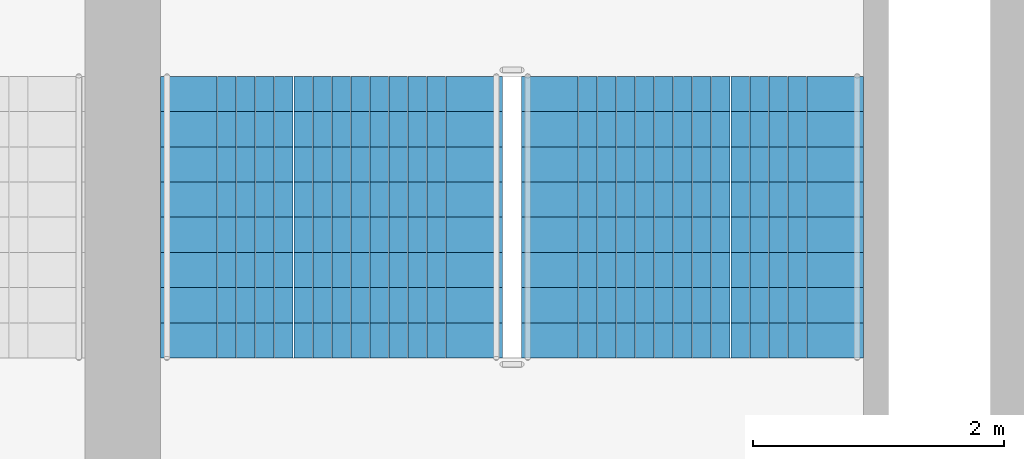
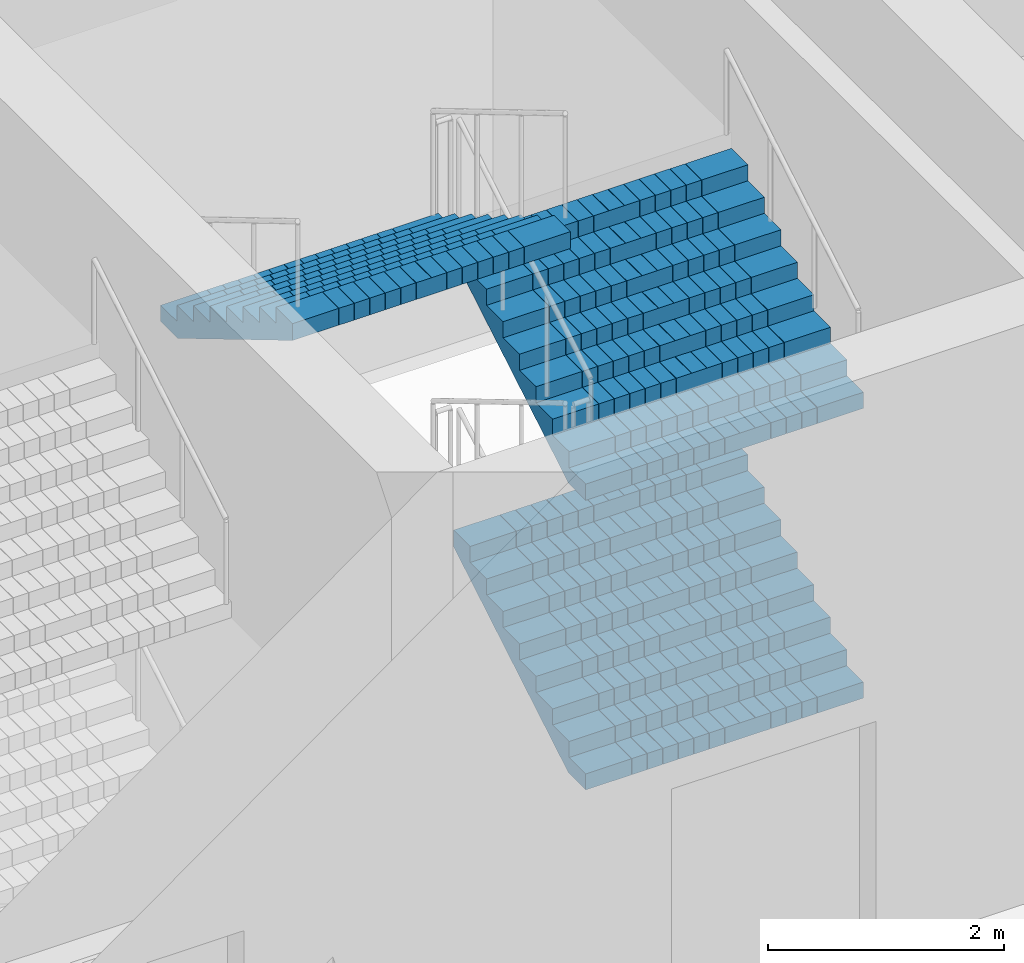
# One storey, part 30 of 43: 3 stair flights, 1 element without a shape of its own.
"""IFC4 building model written with IfcOpenShell, lengths in metres."""

from ifc_helpers import new_model, si_unit, direction, frame, origin, place, context, subcontext, project, spatial, polyline, outline, extrude, material, type_object, element, aggregate, save


model = new_model("IFC4")

# Units and contexts
model_context = context("Model", 3, precision=1e-05, world=origin(), true_north=direction((0.0, 1.0)))
body_context = subcontext(model_context, "Body", "Model", "MODEL_VIEW")
ifc_project = project(units=[si_unit("LENGTHUNIT", "METRE"), si_unit("AREAUNIT", "SQUARE_METRE"), si_unit("VOLUMEUNIT", "CUBIC_METRE"), si_unit("PLANEANGLEUNIT", "RADIAN"), si_unit("MASSUNIT", "GRAM", prefix="KILO")], contexts=[model_context])

# Site, building, storey
site_placement = place(None, origin())
site = spatial("IfcSite", under=ifc_project, at=site_placement, CompositionType="ELEMENT")
building_placement = place(site_placement, origin())
building = spatial("IfcBuilding", under=site, at=building_placement, Name="Corbelhall Arena Tower", CompositionType="ELEMENT")
storey_placement = place(building_placement, frame((0.0, 0.0, 25.0)))
storey = spatial("IfcBuildingStorey", under=building, at=storey_placement, Name="L03", CompositionType="ELEMENT", Elevation=25.0)

# Stair, stair flights
ifc_material = material(Name="Reinforced concrete C40/50", Category="concrete")
stair_type = type_object("IfcStairType", Name="AR-EXIT-STAIR", PredefinedType="HALF_TURN_STAIR", material=ifc_material)
stair_placement = place(storey_placement, origin())
stair = element("IfcStair", 1, at=stair_placement, inside=storey, type_object=stair_type, Name="L03 exit stair AS3", PredefinedType="HALF_TURN_STAIR")
stair_flight_type = type_object("IfcStairFlightType", Name="AR-EXIT-FLIGHT", PredefinedType="STRAIGHT", material=ifc_material)
stair_flight_1_placement = place(storey_placement, frame((-35.969970703125, 27.320068359375, 0.0), z_axis=(0.0, 0.0, 1.0), x_axis=(0.0, 1.0, 0.0)))
stair_flight_1 = element("IfcStairFlight", 2, at=stair_flight_1_placement, type_object=stair_flight_type, Name="AS3 flight 1", NumberOfRisers=9, NumberOfTreads=8, PredefinedType="STRAIGHT", RiserHeight=0.166666667, TreadLength=0.28, context=body_context, shape_type="SweptSolid", body=[
    extrude(outline(polyline([(0.0, 0.0), (0.0, 0.166748046875), (0.280029296875, 0.166748046875), (0.280029296875, 0.333251953125), (0.56005859375, 0.333251953125), (0.56005859375, 0.5), (0.840087890625, 0.5), (0.840087890625, 0.666748046875), (1.1201171875, 0.666748046875), (1.1201171875, 0.833251953125), (1.39990234375, 0.833251953125), (1.39990234375, 1.0), (1.679931640625, 1.0), (1.679931640625, 1.166748046875), (1.9599609375, 1.166748046875), (1.9599609375, 1.333251953125), (2.239990234375, 1.333251953125), (2.239990234375, 1.5), (2.239990234375, 1.158935546875), (0.29296875, 0.0), (0.0, 0.0)])), frame((0.0, 1.35986328125, 0.0), z_axis=(0.0, -1.0, 0.0), x_axis=(1.0, 0.0, 0.0)), (0.0, 0.0, 1.0), 0.449951171875),
    extrude(outline(polyline([(0.0, 0.0), (0.0, 0.166748046875), (0.280029296875, 0.166748046875), (0.280029296875, 0.333251953125), (0.56005859375, 0.333251953125), (0.56005859375, 0.5), (0.840087890625, 0.5), (0.840087890625, 0.666748046875), (1.1201171875, 0.666748046875), (1.1201171875, 0.833251953125), (1.39990234375, 0.833251953125), (1.39990234375, 1.0), (1.679931640625, 1.0), (1.679931640625, 1.166748046875), (1.9599609375, 1.166748046875), (1.9599609375, 1.333251953125), (2.239990234375, 1.333251953125), (2.239990234375, 1.5), (2.239990234375, 1.158935546875), (0.29296875, 0.0), (0.0, 0.0)])), frame((0.0, 0.906005859375, 0.0), z_axis=(0.0, -1.0, 0.0), x_axis=(1.0, 0.0, 0.0)), (0.0, 0.0, 1.0), 0.147216796875),
    extrude(outline(polyline([(0.0, 0.0), (0.0, 0.166748046875), (0.280029296875, 0.166748046875), (0.280029296875, 0.333251953125), (0.56005859375, 0.333251953125), (0.56005859375, 0.5), (0.840087890625, 0.5), (0.840087890625, 0.666748046875), (1.1201171875, 0.666748046875), (1.1201171875, 0.833251953125), (1.39990234375, 0.833251953125), (1.39990234375, 1.0), (1.679931640625, 1.0), (1.679931640625, 1.166748046875), (1.9599609375, 1.166748046875), (1.9599609375, 1.333251953125), (2.239990234375, 1.333251953125), (2.239990234375, 1.5), (2.239990234375, 1.158935546875), (0.29296875, 0.0), (0.0, 0.0)])), frame((0.0, 0.754638671875, 0.0), z_axis=(0.0, -1.0, 0.0), x_axis=(1.0, 0.0, 0.0)), (0.0, 0.0, 1.0), 0.147216796875),
    extrude(outline(polyline([(0.0, 0.0), (0.0, 0.166748046875), (0.280029296875, 0.166748046875), (0.280029296875, 0.333251953125), (0.56005859375, 0.333251953125), (0.56005859375, 0.5), (0.840087890625, 0.5), (0.840087890625, 0.666748046875), (1.1201171875, 0.666748046875), (1.1201171875, 0.833251953125), (1.39990234375, 0.833251953125), (1.39990234375, 1.0), (1.679931640625, 1.0), (1.679931640625, 1.166748046875), (1.9599609375, 1.166748046875), (1.9599609375, 1.333251953125), (2.239990234375, 1.333251953125), (2.239990234375, 1.5), (2.239990234375, 1.158935546875), (0.29296875, 0.0), (0.0, 0.0)])), frame((0.0, 0.603271484375, 0.0), z_axis=(0.0, -1.0, 0.0), x_axis=(1.0, 0.0, 0.0)), (0.0, 0.0, 1.0), 0.147216796875),
    extrude(outline(polyline([(0.0, 0.0), (0.0, 0.166748046875), (0.280029296875, 0.166748046875), (0.280029296875, 0.333251953125), (0.56005859375, 0.333251953125), (0.56005859375, 0.5), (0.840087890625, 0.5), (0.840087890625, 0.666748046875), (1.1201171875, 0.666748046875), (1.1201171875, 0.833251953125), (1.39990234375, 0.833251953125), (1.39990234375, 1.0), (1.679931640625, 1.0), (1.679931640625, 1.166748046875), (1.9599609375, 1.166748046875), (1.9599609375, 1.333251953125), (2.239990234375, 1.333251953125), (2.239990234375, 1.5), (2.239990234375, 1.158935546875), (0.29296875, 0.0), (0.0, 0.0)])), frame((0.0, 0.451904296875, 0.0), z_axis=(0.0, -1.0, 0.0), x_axis=(1.0, 0.0, 0.0)), (0.0, 0.0, 1.0), 0.147216796875),
    extrude(outline(polyline([(0.0, 0.0), (0.0, 0.166748046875), (0.280029296875, 0.166748046875), (0.280029296875, 0.333251953125), (0.56005859375, 0.333251953125), (0.56005859375, 0.5), (0.840087890625, 0.5), (0.840087890625, 0.666748046875), (1.1201171875, 0.666748046875), (1.1201171875, 0.833251953125), (1.39990234375, 0.833251953125), (1.39990234375, 1.0), (1.679931640625, 1.0), (1.679931640625, 1.166748046875), (1.9599609375, 1.166748046875), (1.9599609375, 1.333251953125), (2.239990234375, 1.333251953125), (2.239990234375, 1.5), (2.239990234375, 1.158935546875), (0.29296875, 0.0), (0.0, 0.0)])), frame((0.0, 0.30078125, 0.0), z_axis=(0.0, -1.0, 0.0), x_axis=(1.0, 0.0, 0.0)), (0.0, 0.0, 1.0), 0.147216796875),
    extrude(outline(polyline([(0.0, 0.0), (0.0, 0.166748046875), (0.280029296875, 0.166748046875), (0.280029296875, 0.333251953125), (0.56005859375, 0.333251953125), (0.56005859375, 0.5), (0.840087890625, 0.5), (0.840087890625, 0.666748046875), (1.1201171875, 0.666748046875), (1.1201171875, 0.833251953125), (1.39990234375, 0.833251953125), (1.39990234375, 1.0), (1.679931640625, 1.0), (1.679931640625, 1.166748046875), (1.9599609375, 1.166748046875), (1.9599609375, 1.333251953125), (2.239990234375, 1.333251953125), (2.239990234375, 1.5), (2.239990234375, 1.158935546875), (0.29296875, 0.0), (0.0, 0.0)])), frame((0.0, 0.1494140625, 0.0), z_axis=(0.0, -1.0, 0.0), x_axis=(1.0, 0.0, 0.0)), (0.0, 0.0, 1.0), 0.147216796875),
    extrude(outline(polyline([(0.0, 0.0), (0.0, 0.166748046875), (0.280029296875, 0.166748046875), (0.280029296875, 0.333251953125), (0.56005859375, 0.333251953125), (0.56005859375, 0.5), (0.840087890625, 0.5), (0.840087890625, 0.666748046875), (1.1201171875, 0.666748046875), (1.1201171875, 0.833251953125), (1.39990234375, 0.833251953125), (1.39990234375, 1.0), (1.679931640625, 1.0), (1.679931640625, 1.166748046875), (1.9599609375, 1.166748046875), (1.9599609375, 1.333251953125), (2.239990234375, 1.333251953125), (2.239990234375, 1.5), (2.239990234375, 1.158935546875), (0.29296875, 0.0), (0.0, 0.0)])), frame((0.0, -0.001953125, 0.0), z_axis=(0.0, -1.0, 0.0), x_axis=(1.0, 0.0, 0.0)), (0.0, 0.0, 1.0), 0.147216796875),
    extrude(outline(polyline([(0.0, 0.0), (0.0, 0.166748046875), (0.280029296875, 0.166748046875), (0.280029296875, 0.333251953125), (0.56005859375, 0.333251953125), (0.56005859375, 0.5), (0.840087890625, 0.5), (0.840087890625, 0.666748046875), (1.1201171875, 0.666748046875), (1.1201171875, 0.833251953125), (1.39990234375, 0.833251953125), (1.39990234375, 1.0), (1.679931640625, 1.0), (1.679931640625, 1.166748046875), (1.9599609375, 1.166748046875), (1.9599609375, 1.333251953125), (2.239990234375, 1.333251953125), (2.239990234375, 1.5), (2.239990234375, 1.158935546875), (0.29296875, 0.0), (0.0, 0.0)])), frame((0.0, -0.1533203125, 0.0), z_axis=(0.0, -1.0, 0.0), x_axis=(1.0, 0.0, 0.0)), (0.0, 0.0, 1.0), 0.147216796875),
    extrude(outline(polyline([(0.0, 0.0), (0.0, 0.166748046875), (0.280029296875, 0.166748046875), (0.280029296875, 0.333251953125), (0.56005859375, 0.333251953125), (0.56005859375, 0.5), (0.840087890625, 0.5), (0.840087890625, 0.666748046875), (1.1201171875, 0.666748046875), (1.1201171875, 0.833251953125), (1.39990234375, 0.833251953125), (1.39990234375, 1.0), (1.679931640625, 1.0), (1.679931640625, 1.166748046875), (1.9599609375, 1.166748046875), (1.9599609375, 1.333251953125), (2.239990234375, 1.333251953125), (2.239990234375, 1.5), (2.239990234375, 1.158935546875), (0.29296875, 0.0), (0.0, 0.0)])), frame((0.0, -0.3046875, 0.0), z_axis=(0.0, -1.0, 0.0), x_axis=(1.0, 0.0, 0.0)), (0.0, 0.0, 1.0), 0.147216796875),
    extrude(outline(polyline([(0.0, 0.0), (0.0, 0.166748046875), (0.280029296875, 0.166748046875), (0.280029296875, 0.333251953125), (0.56005859375, 0.333251953125), (0.56005859375, 0.5), (0.840087890625, 0.5), (0.840087890625, 0.666748046875), (1.1201171875, 0.666748046875), (1.1201171875, 0.833251953125), (1.39990234375, 0.833251953125), (1.39990234375, 1.0), (1.679931640625, 1.0), (1.679931640625, 1.166748046875), (1.9599609375, 1.166748046875), (1.9599609375, 1.333251953125), (2.239990234375, 1.333251953125), (2.239990234375, 1.5), (2.239990234375, 1.158935546875), (0.29296875, 0.0), (0.0, 0.0)])), frame((0.0, -0.4560546875, 0.0), z_axis=(0.0, -1.0, 0.0), x_axis=(1.0, 0.0, 0.0)), (0.0, 0.0, 1.0), 0.147216796875),
    extrude(outline(polyline([(0.0, 0.0), (0.0, 0.166748046875), (0.280029296875, 0.166748046875), (0.280029296875, 0.333251953125), (0.56005859375, 0.333251953125), (0.56005859375, 0.5), (0.840087890625, 0.5), (0.840087890625, 0.666748046875), (1.1201171875, 0.666748046875), (1.1201171875, 0.833251953125), (1.39990234375, 0.833251953125), (1.39990234375, 1.0), (1.679931640625, 1.0), (1.679931640625, 1.166748046875), (1.9599609375, 1.166748046875), (1.9599609375, 1.333251953125), (2.239990234375, 1.333251953125), (2.239990234375, 1.5), (2.239990234375, 1.158935546875), (0.29296875, 0.0), (0.0, 0.0)])), frame((0.0, -0.607421875, 0.0), z_axis=(0.0, -1.0, 0.0), x_axis=(1.0, 0.0, 0.0)), (0.0, 0.0, 1.0), 0.147216796875),
    extrude(outline(polyline([(0.0, 0.0), (0.0, 0.166748046875), (0.280029296875, 0.166748046875), (0.280029296875, 0.333251953125), (0.56005859375, 0.333251953125), (0.56005859375, 0.5), (0.840087890625, 0.5), (0.840087890625, 0.666748046875), (1.1201171875, 0.666748046875), (1.1201171875, 0.833251953125), (1.39990234375, 0.833251953125), (1.39990234375, 1.0), (1.679931640625, 1.0), (1.679931640625, 1.166748046875), (1.9599609375, 1.166748046875), (1.9599609375, 1.333251953125), (2.239990234375, 1.333251953125), (2.239990234375, 1.5), (2.239990234375, 1.158935546875), (0.29296875, 0.0), (0.0, 0.0)])), frame((0.0, -0.758544921875, 0.0), z_axis=(0.0, -1.0, 0.0), x_axis=(1.0, 0.0, 0.0)), (0.0, 0.0, 1.0), 0.147216796875),
    extrude(outline(polyline([(0.0, 0.0), (0.0, 0.166748046875), (0.280029296875, 0.166748046875), (0.280029296875, 0.333251953125), (0.56005859375, 0.333251953125), (0.56005859375, 0.5), (0.840087890625, 0.5), (0.840087890625, 0.666748046875), (1.1201171875, 0.666748046875), (1.1201171875, 0.833251953125), (1.39990234375, 0.833251953125), (1.39990234375, 1.0), (1.679931640625, 1.0), (1.679931640625, 1.166748046875), (1.9599609375, 1.166748046875), (1.9599609375, 1.333251953125), (2.239990234375, 1.333251953125), (2.239990234375, 1.5), (2.239990234375, 1.158935546875), (0.29296875, 0.0), (0.0, 0.0)])), frame((0.0, -0.909912109375, 0.0), z_axis=(0.0, -1.0, 0.0), x_axis=(1.0, 0.0, 0.0)), (0.0, 0.0, 1.0), 0.449951171875),
])
stair_flight_2_placement = place(storey_placement, frame((-35.969970703125, 27.320068359375, 3.0), z_axis=(0.0, 0.0, 1.0), x_axis=(0.0, 1.0, 0.0)))
stair_flight_2 = element("IfcStairFlight", 3, at=stair_flight_2_placement, type_object=stair_flight_type, Name="AS3 flight 3", NumberOfRisers=9, NumberOfTreads=8, PredefinedType="STRAIGHT", RiserHeight=0.166666667, TreadLength=0.28, context=body_context, shape_type="SweptSolid", body=[
    extrude(outline(polyline([(0.0, 0.0), (0.0, 0.166748046875), (0.280029296875, 0.166748046875), (0.280029296875, 0.333251953125), (0.56005859375, 0.333251953125), (0.56005859375, 0.5), (0.840087890625, 0.5), (0.840087890625, 0.666748046875), (1.1201171875, 0.666748046875), (1.1201171875, 0.833251953125), (1.39990234375, 0.833251953125), (1.39990234375, 1.0), (1.679931640625, 1.0), (1.679931640625, 1.166748046875), (1.9599609375, 1.166748046875), (1.9599609375, 1.333251953125), (2.239990234375, 1.333251953125), (2.239990234375, 1.5), (2.239990234375, 1.158935546875), (0.29296875, 0.0), (0.0, 0.0)])), frame((0.0, 1.35986328125, 0.0), z_axis=(0.0, -1.0, 0.0), x_axis=(1.0, 0.0, 0.0)), (0.0, 0.0, 1.0), 0.449951171875),
    extrude(outline(polyline([(0.0, 0.0), (0.0, 0.166748046875), (0.280029296875, 0.166748046875), (0.280029296875, 0.333251953125), (0.56005859375, 0.333251953125), (0.56005859375, 0.5), (0.840087890625, 0.5), (0.840087890625, 0.666748046875), (1.1201171875, 0.666748046875), (1.1201171875, 0.833251953125), (1.39990234375, 0.833251953125), (1.39990234375, 1.0), (1.679931640625, 1.0), (1.679931640625, 1.166748046875), (1.9599609375, 1.166748046875), (1.9599609375, 1.333251953125), (2.239990234375, 1.333251953125), (2.239990234375, 1.5), (2.239990234375, 1.158935546875), (0.29296875, 0.0), (0.0, 0.0)])), frame((0.0, 0.906005859375, 0.0), z_axis=(0.0, -1.0, 0.0), x_axis=(1.0, 0.0, 0.0)), (0.0, 0.0, 1.0), 0.147216796875),
    extrude(outline(polyline([(0.0, 0.0), (0.0, 0.166748046875), (0.280029296875, 0.166748046875), (0.280029296875, 0.333251953125), (0.56005859375, 0.333251953125), (0.56005859375, 0.5), (0.840087890625, 0.5), (0.840087890625, 0.666748046875), (1.1201171875, 0.666748046875), (1.1201171875, 0.833251953125), (1.39990234375, 0.833251953125), (1.39990234375, 1.0), (1.679931640625, 1.0), (1.679931640625, 1.166748046875), (1.9599609375, 1.166748046875), (1.9599609375, 1.333251953125), (2.239990234375, 1.333251953125), (2.239990234375, 1.5), (2.239990234375, 1.158935546875), (0.29296875, 0.0), (0.0, 0.0)])), frame((0.0, 0.754638671875, 0.0), z_axis=(0.0, -1.0, 0.0), x_axis=(1.0, 0.0, 0.0)), (0.0, 0.0, 1.0), 0.147216796875),
    extrude(outline(polyline([(0.0, 0.0), (0.0, 0.166748046875), (0.280029296875, 0.166748046875), (0.280029296875, 0.333251953125), (0.56005859375, 0.333251953125), (0.56005859375, 0.5), (0.840087890625, 0.5), (0.840087890625, 0.666748046875), (1.1201171875, 0.666748046875), (1.1201171875, 0.833251953125), (1.39990234375, 0.833251953125), (1.39990234375, 1.0), (1.679931640625, 1.0), (1.679931640625, 1.166748046875), (1.9599609375, 1.166748046875), (1.9599609375, 1.333251953125), (2.239990234375, 1.333251953125), (2.239990234375, 1.5), (2.239990234375, 1.158935546875), (0.29296875, 0.0), (0.0, 0.0)])), frame((0.0, 0.603271484375, 0.0), z_axis=(0.0, -1.0, 0.0), x_axis=(1.0, 0.0, 0.0)), (0.0, 0.0, 1.0), 0.147216796875),
    extrude(outline(polyline([(0.0, 0.0), (0.0, 0.166748046875), (0.280029296875, 0.166748046875), (0.280029296875, 0.333251953125), (0.56005859375, 0.333251953125), (0.56005859375, 0.5), (0.840087890625, 0.5), (0.840087890625, 0.666748046875), (1.1201171875, 0.666748046875), (1.1201171875, 0.833251953125), (1.39990234375, 0.833251953125), (1.39990234375, 1.0), (1.679931640625, 1.0), (1.679931640625, 1.166748046875), (1.9599609375, 1.166748046875), (1.9599609375, 1.333251953125), (2.239990234375, 1.333251953125), (2.239990234375, 1.5), (2.239990234375, 1.158935546875), (0.29296875, 0.0), (0.0, 0.0)])), frame((0.0, 0.451904296875, 0.0), z_axis=(0.0, -1.0, 0.0), x_axis=(1.0, 0.0, 0.0)), (0.0, 0.0, 1.0), 0.147216796875),
    extrude(outline(polyline([(0.0, 0.0), (0.0, 0.166748046875), (0.280029296875, 0.166748046875), (0.280029296875, 0.333251953125), (0.56005859375, 0.333251953125), (0.56005859375, 0.5), (0.840087890625, 0.5), (0.840087890625, 0.666748046875), (1.1201171875, 0.666748046875), (1.1201171875, 0.833251953125), (1.39990234375, 0.833251953125), (1.39990234375, 1.0), (1.679931640625, 1.0), (1.679931640625, 1.166748046875), (1.9599609375, 1.166748046875), (1.9599609375, 1.333251953125), (2.239990234375, 1.333251953125), (2.239990234375, 1.5), (2.239990234375, 1.158935546875), (0.29296875, 0.0), (0.0, 0.0)])), frame((0.0, 0.30078125, 0.0), z_axis=(0.0, -1.0, 0.0), x_axis=(1.0, 0.0, 0.0)), (0.0, 0.0, 1.0), 0.147216796875),
    extrude(outline(polyline([(0.0, 0.0), (0.0, 0.166748046875), (0.280029296875, 0.166748046875), (0.280029296875, 0.333251953125), (0.56005859375, 0.333251953125), (0.56005859375, 0.5), (0.840087890625, 0.5), (0.840087890625, 0.666748046875), (1.1201171875, 0.666748046875), (1.1201171875, 0.833251953125), (1.39990234375, 0.833251953125), (1.39990234375, 1.0), (1.679931640625, 1.0), (1.679931640625, 1.166748046875), (1.9599609375, 1.166748046875), (1.9599609375, 1.333251953125), (2.239990234375, 1.333251953125), (2.239990234375, 1.5), (2.239990234375, 1.158935546875), (0.29296875, 0.0), (0.0, 0.0)])), frame((0.0, 0.1494140625, 0.0), z_axis=(0.0, -1.0, 0.0), x_axis=(1.0, 0.0, 0.0)), (0.0, 0.0, 1.0), 0.147216796875),
    extrude(outline(polyline([(0.0, 0.0), (0.0, 0.166748046875), (0.280029296875, 0.166748046875), (0.280029296875, 0.333251953125), (0.56005859375, 0.333251953125), (0.56005859375, 0.5), (0.840087890625, 0.5), (0.840087890625, 0.666748046875), (1.1201171875, 0.666748046875), (1.1201171875, 0.833251953125), (1.39990234375, 0.833251953125), (1.39990234375, 1.0), (1.679931640625, 1.0), (1.679931640625, 1.166748046875), (1.9599609375, 1.166748046875), (1.9599609375, 1.333251953125), (2.239990234375, 1.333251953125), (2.239990234375, 1.5), (2.239990234375, 1.158935546875), (0.29296875, 0.0), (0.0, 0.0)])), frame((0.0, -0.001953125, 0.0), z_axis=(0.0, -1.0, 0.0), x_axis=(1.0, 0.0, 0.0)), (0.0, 0.0, 1.0), 0.147216796875),
    extrude(outline(polyline([(0.0, 0.0), (0.0, 0.166748046875), (0.280029296875, 0.166748046875), (0.280029296875, 0.333251953125), (0.56005859375, 0.333251953125), (0.56005859375, 0.5), (0.840087890625, 0.5), (0.840087890625, 0.666748046875), (1.1201171875, 0.666748046875), (1.1201171875, 0.833251953125), (1.39990234375, 0.833251953125), (1.39990234375, 1.0), (1.679931640625, 1.0), (1.679931640625, 1.166748046875), (1.9599609375, 1.166748046875), (1.9599609375, 1.333251953125), (2.239990234375, 1.333251953125), (2.239990234375, 1.5), (2.239990234375, 1.158935546875), (0.29296875, 0.0), (0.0, 0.0)])), frame((0.0, -0.1533203125, 0.0), z_axis=(0.0, -1.0, 0.0), x_axis=(1.0, 0.0, 0.0)), (0.0, 0.0, 1.0), 0.147216796875),
    extrude(outline(polyline([(0.0, 0.0), (0.0, 0.166748046875), (0.280029296875, 0.166748046875), (0.280029296875, 0.333251953125), (0.56005859375, 0.333251953125), (0.56005859375, 0.5), (0.840087890625, 0.5), (0.840087890625, 0.666748046875), (1.1201171875, 0.666748046875), (1.1201171875, 0.833251953125), (1.39990234375, 0.833251953125), (1.39990234375, 1.0), (1.679931640625, 1.0), (1.679931640625, 1.166748046875), (1.9599609375, 1.166748046875), (1.9599609375, 1.333251953125), (2.239990234375, 1.333251953125), (2.239990234375, 1.5), (2.239990234375, 1.158935546875), (0.29296875, 0.0), (0.0, 0.0)])), frame((0.0, -0.3046875, 0.0), z_axis=(0.0, -1.0, 0.0), x_axis=(1.0, 0.0, 0.0)), (0.0, 0.0, 1.0), 0.147216796875),
    extrude(outline(polyline([(0.0, 0.0), (0.0, 0.166748046875), (0.280029296875, 0.166748046875), (0.280029296875, 0.333251953125), (0.56005859375, 0.333251953125), (0.56005859375, 0.5), (0.840087890625, 0.5), (0.840087890625, 0.666748046875), (1.1201171875, 0.666748046875), (1.1201171875, 0.833251953125), (1.39990234375, 0.833251953125), (1.39990234375, 1.0), (1.679931640625, 1.0), (1.679931640625, 1.166748046875), (1.9599609375, 1.166748046875), (1.9599609375, 1.333251953125), (2.239990234375, 1.333251953125), (2.239990234375, 1.5), (2.239990234375, 1.158935546875), (0.29296875, 0.0), (0.0, 0.0)])), frame((0.0, -0.4560546875, 0.0), z_axis=(0.0, -1.0, 0.0), x_axis=(1.0, 0.0, 0.0)), (0.0, 0.0, 1.0), 0.147216796875),
    extrude(outline(polyline([(0.0, 0.0), (0.0, 0.166748046875), (0.280029296875, 0.166748046875), (0.280029296875, 0.333251953125), (0.56005859375, 0.333251953125), (0.56005859375, 0.5), (0.840087890625, 0.5), (0.840087890625, 0.666748046875), (1.1201171875, 0.666748046875), (1.1201171875, 0.833251953125), (1.39990234375, 0.833251953125), (1.39990234375, 1.0), (1.679931640625, 1.0), (1.679931640625, 1.166748046875), (1.9599609375, 1.166748046875), (1.9599609375, 1.333251953125), (2.239990234375, 1.333251953125), (2.239990234375, 1.5), (2.239990234375, 1.158935546875), (0.29296875, 0.0), (0.0, 0.0)])), frame((0.0, -0.607421875, 0.0), z_axis=(0.0, -1.0, 0.0), x_axis=(1.0, 0.0, 0.0)), (0.0, 0.0, 1.0), 0.147216796875),
    extrude(outline(polyline([(0.0, 0.0), (0.0, 0.166748046875), (0.280029296875, 0.166748046875), (0.280029296875, 0.333251953125), (0.56005859375, 0.333251953125), (0.56005859375, 0.5), (0.840087890625, 0.5), (0.840087890625, 0.666748046875), (1.1201171875, 0.666748046875), (1.1201171875, 0.833251953125), (1.39990234375, 0.833251953125), (1.39990234375, 1.0), (1.679931640625, 1.0), (1.679931640625, 1.166748046875), (1.9599609375, 1.166748046875), (1.9599609375, 1.333251953125), (2.239990234375, 1.333251953125), (2.239990234375, 1.5), (2.239990234375, 1.158935546875), (0.29296875, 0.0), (0.0, 0.0)])), frame((0.0, -0.758544921875, 0.0), z_axis=(0.0, -1.0, 0.0), x_axis=(1.0, 0.0, 0.0)), (0.0, 0.0, 1.0), 0.147216796875),
    extrude(outline(polyline([(0.0, 0.0), (0.0, 0.166748046875), (0.280029296875, 0.166748046875), (0.280029296875, 0.333251953125), (0.56005859375, 0.333251953125), (0.56005859375, 0.5), (0.840087890625, 0.5), (0.840087890625, 0.666748046875), (1.1201171875, 0.666748046875), (1.1201171875, 0.833251953125), (1.39990234375, 0.833251953125), (1.39990234375, 1.0), (1.679931640625, 1.0), (1.679931640625, 1.166748046875), (1.9599609375, 1.166748046875), (1.9599609375, 1.333251953125), (2.239990234375, 1.333251953125), (2.239990234375, 1.5), (2.239990234375, 1.158935546875), (0.29296875, 0.0), (0.0, 0.0)])), frame((0.0, -0.909912109375, 0.0), z_axis=(0.0, -1.0, 0.0), x_axis=(1.0, 0.0, 0.0)), (0.0, 0.0, 1.0), 0.449951171875),
])
stair_flight_3_placement = place(storey_placement, frame((-38.840087890625, 29.56005859375, 4.5), z_axis=(0.0, 0.0, 1.0), x_axis=(0.0, -1.0, 0.0)))
stair_flight_3 = element("IfcStairFlight", 4, at=stair_flight_3_placement, type_object=stair_flight_type, Name="AS3 flight 4", NumberOfRisers=9, NumberOfTreads=8, PredefinedType="STRAIGHT", RiserHeight=0.166666667, TreadLength=0.28, context=body_context, shape_type="SweptSolid", body=[
    extrude(outline(polyline([(0.0, 0.0), (0.0, 0.166748046875), (0.280029296875, 0.166748046875), (0.280029296875, 0.333251953125), (0.56005859375, 0.333251953125), (0.56005859375, 0.5), (0.840087890625, 0.5), (0.840087890625, 0.666748046875), (1.1201171875, 0.666748046875), (1.1201171875, 0.833251953125), (1.39990234375, 0.833251953125), (1.39990234375, 1.0), (1.679931640625, 1.0), (1.679931640625, 1.166748046875), (1.9599609375, 1.166748046875), (1.9599609375, 1.333251953125), (2.239990234375, 1.333251953125), (2.239990234375, 1.5), (2.239990234375, 1.158935546875), (0.29296875, 0.0), (0.0, 0.0)])), frame((0.0, 1.35986328125, 0.0), z_axis=(0.0, -1.0, 0.0), x_axis=(1.0, 0.0, 0.0)), (0.0, 0.0, 1.0), 0.449951171875),
    extrude(outline(polyline([(0.0, 0.0), (0.0, 0.166748046875), (0.280029296875, 0.166748046875), (0.280029296875, 0.333251953125), (0.56005859375, 0.333251953125), (0.56005859375, 0.5), (0.840087890625, 0.5), (0.840087890625, 0.666748046875), (1.1201171875, 0.666748046875), (1.1201171875, 0.833251953125), (1.39990234375, 0.833251953125), (1.39990234375, 1.0), (1.679931640625, 1.0), (1.679931640625, 1.166748046875), (1.9599609375, 1.166748046875), (1.9599609375, 1.333251953125), (2.239990234375, 1.333251953125), (2.239990234375, 1.5), (2.239990234375, 1.158935546875), (0.29296875, 0.0), (0.0, 0.0)])), frame((0.0, 0.906005859375, 0.0), z_axis=(0.0, -1.0, 0.0), x_axis=(1.0, 0.0, 0.0)), (0.0, 0.0, 1.0), 0.147216796875),
    extrude(outline(polyline([(0.0, 0.0), (0.0, 0.166748046875), (0.280029296875, 0.166748046875), (0.280029296875, 0.333251953125), (0.56005859375, 0.333251953125), (0.56005859375, 0.5), (0.840087890625, 0.5), (0.840087890625, 0.666748046875), (1.1201171875, 0.666748046875), (1.1201171875, 0.833251953125), (1.39990234375, 0.833251953125), (1.39990234375, 1.0), (1.679931640625, 1.0), (1.679931640625, 1.166748046875), (1.9599609375, 1.166748046875), (1.9599609375, 1.333251953125), (2.239990234375, 1.333251953125), (2.239990234375, 1.5), (2.239990234375, 1.158935546875), (0.29296875, 0.0), (0.0, 0.0)])), frame((0.0, 0.754638671875, 0.0), z_axis=(0.0, -1.0, 0.0), x_axis=(1.0, 0.0, 0.0)), (0.0, 0.0, 1.0), 0.147216796875),
    extrude(outline(polyline([(0.0, 0.0), (0.0, 0.166748046875), (0.280029296875, 0.166748046875), (0.280029296875, 0.333251953125), (0.56005859375, 0.333251953125), (0.56005859375, 0.5), (0.840087890625, 0.5), (0.840087890625, 0.666748046875), (1.1201171875, 0.666748046875), (1.1201171875, 0.833251953125), (1.39990234375, 0.833251953125), (1.39990234375, 1.0), (1.679931640625, 1.0), (1.679931640625, 1.166748046875), (1.9599609375, 1.166748046875), (1.9599609375, 1.333251953125), (2.239990234375, 1.333251953125), (2.239990234375, 1.5), (2.239990234375, 1.158935546875), (0.29296875, 0.0), (0.0, 0.0)])), frame((0.0, 0.603271484375, 0.0), z_axis=(0.0, -1.0, 0.0), x_axis=(1.0, 0.0, 0.0)), (0.0, 0.0, 1.0), 0.147216796875),
    extrude(outline(polyline([(0.0, 0.0), (0.0, 0.166748046875), (0.280029296875, 0.166748046875), (0.280029296875, 0.333251953125), (0.56005859375, 0.333251953125), (0.56005859375, 0.5), (0.840087890625, 0.5), (0.840087890625, 0.666748046875), (1.1201171875, 0.666748046875), (1.1201171875, 0.833251953125), (1.39990234375, 0.833251953125), (1.39990234375, 1.0), (1.679931640625, 1.0), (1.679931640625, 1.166748046875), (1.9599609375, 1.166748046875), (1.9599609375, 1.333251953125), (2.239990234375, 1.333251953125), (2.239990234375, 1.5), (2.239990234375, 1.158935546875), (0.29296875, 0.0), (0.0, 0.0)])), frame((0.0, 0.451904296875, 0.0), z_axis=(0.0, -1.0, 0.0), x_axis=(1.0, 0.0, 0.0)), (0.0, 0.0, 1.0), 0.147216796875),
    extrude(outline(polyline([(0.0, 0.0), (0.0, 0.166748046875), (0.280029296875, 0.166748046875), (0.280029296875, 0.333251953125), (0.56005859375, 0.333251953125), (0.56005859375, 0.5), (0.840087890625, 0.5), (0.840087890625, 0.666748046875), (1.1201171875, 0.666748046875), (1.1201171875, 0.833251953125), (1.39990234375, 0.833251953125), (1.39990234375, 1.0), (1.679931640625, 1.0), (1.679931640625, 1.166748046875), (1.9599609375, 1.166748046875), (1.9599609375, 1.333251953125), (2.239990234375, 1.333251953125), (2.239990234375, 1.5), (2.239990234375, 1.158935546875), (0.29296875, 0.0), (0.0, 0.0)])), frame((0.0, 0.30078125, 0.0), z_axis=(0.0, -1.0, 0.0), x_axis=(1.0, 0.0, 0.0)), (0.0, 0.0, 1.0), 0.147216796875),
    extrude(outline(polyline([(0.0, 0.0), (0.0, 0.166748046875), (0.280029296875, 0.166748046875), (0.280029296875, 0.333251953125), (0.56005859375, 0.333251953125), (0.56005859375, 0.5), (0.840087890625, 0.5), (0.840087890625, 0.666748046875), (1.1201171875, 0.666748046875), (1.1201171875, 0.833251953125), (1.39990234375, 0.833251953125), (1.39990234375, 1.0), (1.679931640625, 1.0), (1.679931640625, 1.166748046875), (1.9599609375, 1.166748046875), (1.9599609375, 1.333251953125), (2.239990234375, 1.333251953125), (2.239990234375, 1.5), (2.239990234375, 1.158935546875), (0.29296875, 0.0), (0.0, 0.0)])), frame((0.0, 0.1494140625, 0.0), z_axis=(0.0, -1.0, 0.0), x_axis=(1.0, 0.0, 0.0)), (0.0, 0.0, 1.0), 0.147216796875),
    extrude(outline(polyline([(0.0, 0.0), (0.0, 0.166748046875), (0.280029296875, 0.166748046875), (0.280029296875, 0.333251953125), (0.56005859375, 0.333251953125), (0.56005859375, 0.5), (0.840087890625, 0.5), (0.840087890625, 0.666748046875), (1.1201171875, 0.666748046875), (1.1201171875, 0.833251953125), (1.39990234375, 0.833251953125), (1.39990234375, 1.0), (1.679931640625, 1.0), (1.679931640625, 1.166748046875), (1.9599609375, 1.166748046875), (1.9599609375, 1.333251953125), (2.239990234375, 1.333251953125), (2.239990234375, 1.5), (2.239990234375, 1.158935546875), (0.29296875, 0.0), (0.0, 0.0)])), frame((0.0, -0.001953125, 0.0), z_axis=(0.0, -1.0, 0.0), x_axis=(1.0, 0.0, 0.0)), (0.0, 0.0, 1.0), 0.147216796875),
    extrude(outline(polyline([(0.0, 0.0), (0.0, 0.166748046875), (0.280029296875, 0.166748046875), (0.280029296875, 0.333251953125), (0.56005859375, 0.333251953125), (0.56005859375, 0.5), (0.840087890625, 0.5), (0.840087890625, 0.666748046875), (1.1201171875, 0.666748046875), (1.1201171875, 0.833251953125), (1.39990234375, 0.833251953125), (1.39990234375, 1.0), (1.679931640625, 1.0), (1.679931640625, 1.166748046875), (1.9599609375, 1.166748046875), (1.9599609375, 1.333251953125), (2.239990234375, 1.333251953125), (2.239990234375, 1.5), (2.239990234375, 1.158935546875), (0.29296875, 0.0), (0.0, 0.0)])), frame((0.0, -0.1533203125, 0.0), z_axis=(0.0, -1.0, 0.0), x_axis=(1.0, 0.0, 0.0)), (0.0, 0.0, 1.0), 0.147216796875),
    extrude(outline(polyline([(0.0, 0.0), (0.0, 0.166748046875), (0.280029296875, 0.166748046875), (0.280029296875, 0.333251953125), (0.56005859375, 0.333251953125), (0.56005859375, 0.5), (0.840087890625, 0.5), (0.840087890625, 0.666748046875), (1.1201171875, 0.666748046875), (1.1201171875, 0.833251953125), (1.39990234375, 0.833251953125), (1.39990234375, 1.0), (1.679931640625, 1.0), (1.679931640625, 1.166748046875), (1.9599609375, 1.166748046875), (1.9599609375, 1.333251953125), (2.239990234375, 1.333251953125), (2.239990234375, 1.5), (2.239990234375, 1.158935546875), (0.29296875, 0.0), (0.0, 0.0)])), frame((0.0, -0.3046875, 0.0), z_axis=(0.0, -1.0, 0.0), x_axis=(1.0, 0.0, 0.0)), (0.0, 0.0, 1.0), 0.147216796875),
    extrude(outline(polyline([(0.0, 0.0), (0.0, 0.166748046875), (0.280029296875, 0.166748046875), (0.280029296875, 0.333251953125), (0.56005859375, 0.333251953125), (0.56005859375, 0.5), (0.840087890625, 0.5), (0.840087890625, 0.666748046875), (1.1201171875, 0.666748046875), (1.1201171875, 0.833251953125), (1.39990234375, 0.833251953125), (1.39990234375, 1.0), (1.679931640625, 1.0), (1.679931640625, 1.166748046875), (1.9599609375, 1.166748046875), (1.9599609375, 1.333251953125), (2.239990234375, 1.333251953125), (2.239990234375, 1.5), (2.239990234375, 1.158935546875), (0.29296875, 0.0), (0.0, 0.0)])), frame((0.0, -0.4560546875, 0.0), z_axis=(0.0, -1.0, 0.0), x_axis=(1.0, 0.0, 0.0)), (0.0, 0.0, 1.0), 0.147216796875),
    extrude(outline(polyline([(0.0, 0.0), (0.0, 0.166748046875), (0.280029296875, 0.166748046875), (0.280029296875, 0.333251953125), (0.56005859375, 0.333251953125), (0.56005859375, 0.5), (0.840087890625, 0.5), (0.840087890625, 0.666748046875), (1.1201171875, 0.666748046875), (1.1201171875, 0.833251953125), (1.39990234375, 0.833251953125), (1.39990234375, 1.0), (1.679931640625, 1.0), (1.679931640625, 1.166748046875), (1.9599609375, 1.166748046875), (1.9599609375, 1.333251953125), (2.239990234375, 1.333251953125), (2.239990234375, 1.5), (2.239990234375, 1.158935546875), (0.29296875, 0.0), (0.0, 0.0)])), frame((0.0, -0.607421875, 0.0), z_axis=(0.0, -1.0, 0.0), x_axis=(1.0, 0.0, 0.0)), (0.0, 0.0, 1.0), 0.147216796875),
    extrude(outline(polyline([(0.0, 0.0), (0.0, 0.166748046875), (0.280029296875, 0.166748046875), (0.280029296875, 0.333251953125), (0.56005859375, 0.333251953125), (0.56005859375, 0.5), (0.840087890625, 0.5), (0.840087890625, 0.666748046875), (1.1201171875, 0.666748046875), (1.1201171875, 0.833251953125), (1.39990234375, 0.833251953125), (1.39990234375, 1.0), (1.679931640625, 1.0), (1.679931640625, 1.166748046875), (1.9599609375, 1.166748046875), (1.9599609375, 1.333251953125), (2.239990234375, 1.333251953125), (2.239990234375, 1.5), (2.239990234375, 1.158935546875), (0.29296875, 0.0), (0.0, 0.0)])), frame((0.0, -0.758544921875, 0.0), z_axis=(0.0, -1.0, 0.0), x_axis=(1.0, 0.0, 0.0)), (0.0, 0.0, 1.0), 0.147216796875),
    extrude(outline(polyline([(0.0, 0.0), (0.0, 0.166748046875), (0.280029296875, 0.166748046875), (0.280029296875, 0.333251953125), (0.56005859375, 0.333251953125), (0.56005859375, 0.5), (0.840087890625, 0.5), (0.840087890625, 0.666748046875), (1.1201171875, 0.666748046875), (1.1201171875, 0.833251953125), (1.39990234375, 0.833251953125), (1.39990234375, 1.0), (1.679931640625, 1.0), (1.679931640625, 1.166748046875), (1.9599609375, 1.166748046875), (1.9599609375, 1.333251953125), (2.239990234375, 1.333251953125), (2.239990234375, 1.5), (2.239990234375, 1.158935546875), (0.29296875, 0.0), (0.0, 0.0)])), frame((0.0, -0.909912109375, 0.0), z_axis=(0.0, -1.0, 0.0), x_axis=(1.0, 0.0, 0.0)), (0.0, 0.0, 1.0), 0.449951171875),
])
aggregate(stair, [stair_flight_1, stair_flight_2, stair_flight_3])

save(model, "model.ifc")
